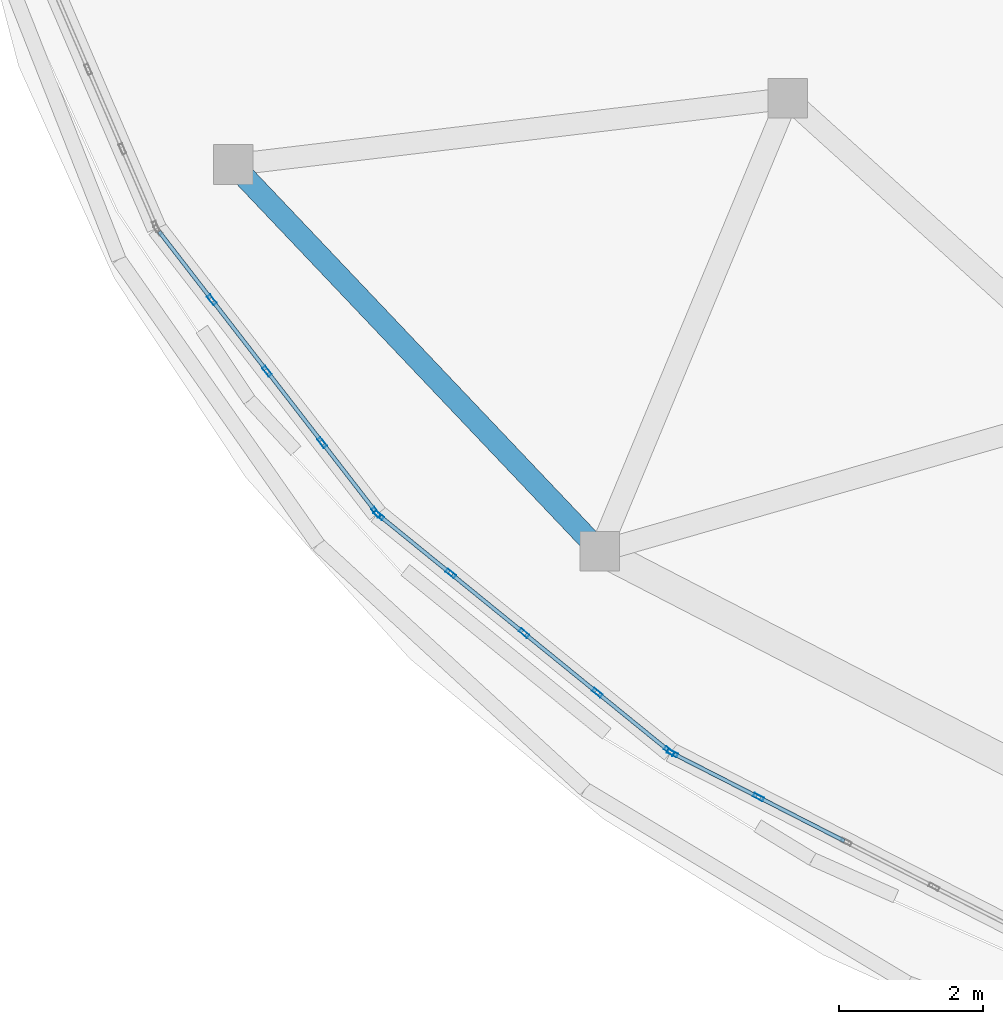
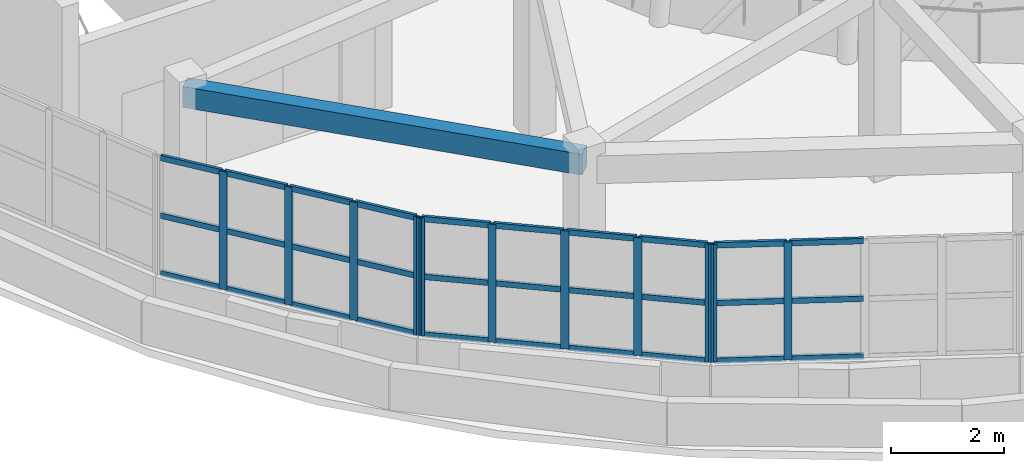
# One storey, part 4 of 46: 41 members, 1 beam, 3 elements without a shape of their own.
"""IFC4 building model written with IfcOpenShell, lengths in metres."""

from ifc_helpers import new_model, si_unit, direction, frame, origin, origin_2d, place, context, subcontext, project, spatial, rectangle, hollow_rectangle, extrude, material, layer, layer_set, material_profile, profile_set, type_object, element, aggregate, save


model = new_model("IFC4")

# Units and contexts
model_context = context("Model", 3, precision=1e-05, world=origin(), true_north=direction((0.0, 1.0)))
body_context = subcontext(model_context, "Body", "Model", "MODEL_VIEW")
ifc_project = project(units=[si_unit("LENGTHUNIT", "METRE"), si_unit("AREAUNIT", "SQUARE_METRE"), si_unit("VOLUMEUNIT", "CUBIC_METRE"), si_unit("PLANEANGLEUNIT", "RADIAN"), si_unit("MASSUNIT", "GRAM", prefix="KILO")], contexts=[model_context])

# Site, building, storey
site_placement = place(None, origin())
site = spatial("IfcSite", under=ifc_project, at=site_placement, CompositionType="ELEMENT")
building_placement = place(site_placement, origin())
building = spatial("IfcBuilding", under=site, at=building_placement, Name="Pelvatis Terrace Science Centre", CompositionType="ELEMENT")
storey_placement = place(building_placement, frame((0.0, 0.0, 19.800048828125)))
storey = spatial("IfcBuildingStorey", under=building, at=storey_placement, Name="L04", CompositionType="ELEMENT", Elevation=19.800048828125)

# Beam
ifc_material_1 = material(Name="Concrete C35/45", Category="concrete")
ifc_material_profile_1 = material_profile(ifc_material_1, rectangle(XDim=0.300048828125, YDim=0.449951171875, at=origin_2d()), Name="RC-BM 300x450")
ifc_profile_set_1 = profile_set([ifc_material_profile_1], Name="Concrete C35/45")
beam_type = type_object("IfcBeamType", Name="BM-RC-300x450", PredefinedType="BEAM", material=ifc_profile_set_1)
beam_placement = place(storey_placement, frame((87.548583984375, 76.43798828125, 4.02490234375), z_axis=(0.688284988325, -0.725440400616, 0.0), x_axis=(0.725440400616, 0.688284988325, 0.0)))
element("IfcBeam", 1, at=beam_placement, inside=storey, type_object=beam_type, Name="Beam BM-L04-3089", PredefinedType="BEAM", context=body_context, shape_type="SweptSolid", body=[
    extrude(rectangle(XDim=0.300048828125, YDim=0.449951171875, at=origin_2d()), origin(), (0.0, 0.0, 1.0), 7.37890625),
])

# Curtain wall, members
ifc_material_2 = material(Name="Bronze-anodised aluminium and laminated glass", Category="aluminium")
ifc_layer = layer(ifc_material_2, 0.14990234375)
ifc_layer_set = layer_set([ifc_layer], Name="Bronze-anodised aluminium and laminated glass")
curtain_wall_type = type_object("IfcCurtainWallType", Name="CW-PASSAGE-C", PredefinedType="NOTDEFINED", material=ifc_layer_set)
curtain_wall_1_placement = place(storey_placement, origin())
curtain_wall_1 = element("IfcCurtainWall", 2, at=curtain_wall_1_placement, inside=storey, type_object=curtain_wall_type, Name="Ribbon curtain wall CW-227 (L04)", PredefinedType="NOTDEFINED")
ifc_material_3 = material(Name="Bronze-anodised aluminium 6063-T6", Category="aluminium")
ifc_material_profile_2 = material_profile(ifc_material_3, hollow_rectangle(XDim=0.054931640625, YDim=0.14990234375, WallThickness=0.00390625, at=origin_2d()), Name="ALU-MUL 55x150")
ifc_profile_set_2 = profile_set([ifc_material_profile_2], Name="Bronze-anodised aluminium 6063-T6")
member_type_1 = type_object("IfcMemberType", Name="CWM-55x150", PredefinedType="MULLION", material=ifc_profile_set_2)
member_1_placement = place(storey_placement, frame((87.254150390625, 74.565185546875, 1.02001953125), z_axis=(0.0, 0.0, 1.0), x_axis=(0.791180678019, 0.611582483994, 0.0)))
member_1 = element("IfcMember", 3, at=member_1_placement, type_object=member_type_1, Name="CW-227 mullion 2", PredefinedType="MULLION", context=body_context, shape_type="SweptSolid", body=[
    extrude(hollow_rectangle(XDim=0.054931640625, YDim=0.14990234375, WallThickness=0.00390625, at=origin_2d()), origin(), (0.0, 0.0, 1.0), 2.550048828125),
])
member_2_placement = place(storey_placement, frame((88.01806640625, 73.576904296875, 1.02001953125), z_axis=(0.0, 0.0, 1.0), x_axis=(0.791180678019, 0.611582483994, 0.0)))
member_2 = element("IfcMember", 4, at=member_2_placement, type_object=member_type_1, Name="CW-227 mullion 3", PredefinedType="MULLION", context=body_context, shape_type="SweptSolid", body=[
    extrude(hollow_rectangle(XDim=0.054931640625, YDim=0.14990234375, WallThickness=0.00390625, at=origin_2d()), origin(), (0.0, 0.0, 1.0), 2.550048828125),
])
member_3_placement = place(storey_placement, frame((88.781982421875, 72.588623046875, 1.02001953125), z_axis=(0.0, 0.0, 1.0), x_axis=(0.791180678019, 0.611582483994, 0.0)))
member_3 = element("IfcMember", 5, at=member_3_placement, type_object=member_type_1, Name="CW-227 mullion 4", PredefinedType="MULLION", context=body_context, shape_type="SweptSolid", body=[
    extrude(hollow_rectangle(XDim=0.054931640625, YDim=0.14990234375, WallThickness=0.00390625, at=origin_2d()), origin(), (0.0, 0.0, 1.0), 2.550048828125),
])
member_4_placement = place(storey_placement, frame((89.529296875, 71.6220703125, 1.02001953125), z_axis=(0.0, 0.0, 1.0), x_axis=(0.791180678019, 0.611582483994, 0.0)))
member_4 = element("IfcMember", 6, at=member_4_placement, type_object=member_type_1, Name="CW-227 mullion 5", PredefinedType="MULLION", context=body_context, shape_type="SweptSolid", body=[
    extrude(hollow_rectangle(XDim=0.054931640625, YDim=0.14990234375, WallThickness=0.00390625, at=origin_2d()), origin(), (0.0, 0.0, 1.0), 2.550048828125),
])

curtain_wall_2_placement = place(storey_placement, origin())
curtain_wall_2 = element("IfcCurtainWall", 7, at=curtain_wall_2_placement, inside=storey, type_object=curtain_wall_type, Name="Ribbon curtain wall CW-228 (L04)", PredefinedType="NOTDEFINED")
member_5_placement = place(storey_placement, frame((89.5673828125, 71.582763671875, 1.02001953125), z_axis=(0.0, 0.0, 1.0), x_axis=(0.630757324963, 0.775980152456, 0.0)))
member_5 = element("IfcMember", 8, at=member_5_placement, type_object=member_type_1, Name="CW-228 mullion 1", PredefinedType="MULLION", context=body_context, shape_type="SweptSolid", body=[
    extrude(hollow_rectangle(XDim=0.054931640625, YDim=0.14990234375, WallThickness=0.00390625, at=origin_2d()), origin(), (0.0, 0.0, 1.0), 2.550048828125),
])
member_6_placement = place(storey_placement, frame((90.561279296875, 70.77490234375, 1.02001953125), z_axis=(0.0, 0.0, 1.0), x_axis=(0.630757324963, 0.775980152456, 0.0)))
member_6 = element("IfcMember", 9, at=member_6_placement, type_object=member_type_1, Name="CW-228 mullion 2", PredefinedType="MULLION", context=body_context, shape_type="SweptSolid", body=[
    extrude(hollow_rectangle(XDim=0.054931640625, YDim=0.14990234375, WallThickness=0.00390625, at=origin_2d()), origin(), (0.0, 0.0, 1.0), 2.550048828125),
])
member_7_placement = place(storey_placement, frame((91.57666015625, 69.949462890625, 1.02001953125), z_axis=(0.0, 0.0, 1.0), x_axis=(0.630757324963, 0.775980152456, 0.0)))
member_7 = element("IfcMember", 10, at=member_7_placement, type_object=member_type_1, Name="CW-228 mullion 3", PredefinedType="MULLION", context=body_context, shape_type="SweptSolid", body=[
    extrude(hollow_rectangle(XDim=0.054931640625, YDim=0.14990234375, WallThickness=0.00390625, at=origin_2d()), origin(), (0.0, 0.0, 1.0), 2.550048828125),
])
member_8_placement = place(storey_placement, frame((92.592041015625, 69.124267578125, 1.02001953125), z_axis=(0.0, 0.0, 1.0), x_axis=(0.630757324963, 0.775980152456, 0.0)))
member_8 = element("IfcMember", 11, at=member_8_placement, type_object=member_type_1, Name="CW-228 mullion 4", PredefinedType="MULLION", context=body_context, shape_type="SweptSolid", body=[
    extrude(hollow_rectangle(XDim=0.054931640625, YDim=0.14990234375, WallThickness=0.00390625, at=origin_2d()), origin(), (0.0, 0.0, 1.0), 2.550048828125),
])
member_9_placement = place(storey_placement, frame((93.586181640625, 68.316162109375, 1.02001953125), z_axis=(0.0, 0.0, 1.0), x_axis=(0.630757324963, 0.775980152456, 0.0)))
member_9 = element("IfcMember", 12, at=member_9_placement, type_object=member_type_1, Name="CW-228 mullion 5", PredefinedType="MULLION", context=body_context, shape_type="SweptSolid", body=[
    extrude(hollow_rectangle(XDim=0.054931640625, YDim=0.14990234375, WallThickness=0.00390625, at=origin_2d()), origin(), (0.0, 0.0, 1.0), 2.550048828125),
])

curtain_wall_3_placement = place(storey_placement, origin())
curtain_wall_3 = element("IfcCurtainWall", 13, at=curtain_wall_3_placement, inside=storey, type_object=curtain_wall_type, Name="Ribbon curtain wall CW-229 (L04)", PredefinedType="NOTDEFINED")
member_10_placement = place(storey_placement, frame((93.632080078125, 68.286376953125, 1.02001953125), z_axis=(0.0, 0.0, 1.0), x_axis=(0.454858737992, 0.890563601587, 0.0)))
member_10 = element("IfcMember", 14, at=member_10_placement, type_object=member_type_1, Name="CW-229 mullion 1", PredefinedType="MULLION", context=body_context, shape_type="SweptSolid", body=[
    extrude(hollow_rectangle(XDim=0.054931640625, YDim=0.14990234375, WallThickness=0.00390625, at=origin_2d()), origin(), (0.0, 0.0, 1.0), 2.550048828125),
])
member_11_placement = place(storey_placement, frame((94.8232421875, 67.677734375, 1.02001953125), z_axis=(0.0, 0.0, 1.0), x_axis=(0.454858737992, 0.890563601587, 0.0)))
member_11 = element("IfcMember", 15, at=member_11_placement, type_object=member_type_1, Name="CW-229 mullion 2", PredefinedType="MULLION", context=body_context, shape_type="SweptSolid", body=[
    extrude(hollow_rectangle(XDim=0.054931640625, YDim=0.14990234375, WallThickness=0.00390625, at=origin_2d()), origin(), (0.0, 0.0, 1.0), 2.550048828125),
])

# Member
ifc_material_4 = material(Name="Bronze-anodised aluminium 6063-T6", Category="aluminium")
ifc_material_profile_3 = material_profile(ifc_material_4, hollow_rectangle(XDim=0.054931640625, YDim=0.1201171875, WallThickness=0.00341796875, at=origin_2d()), Name="ALU-TRN 55x120")
ifc_profile_set_3 = profile_set([ifc_material_profile_3], Name="Bronze-anodised aluminium 6063-T6")
member_type_2 = type_object("IfcMemberType", Name="CWT-55x120", PredefinedType="USERDEFINED", material=ifc_profile_set_3)
member_12_placement = place(storey_placement, frame((86.523681640625, 75.510009765625, 1.04736328125), z_axis=(0.611620187246, -0.791151531979, 0.0), x_axis=(0.791151531979, 0.611620187246, 0.0)))
member_12 = element("IfcMember", 16, at=member_12_placement, type_object=member_type_2, Name="CW-227 transom 1.1", ObjectType="TRANSOM", PredefinedType="USERDEFINED", context=body_context, shape_type="SweptSolid", body=[
    extrude(hollow_rectangle(XDim=0.054931640625, YDim=0.1201171875, WallThickness=0.00341796875, at=origin_2d()), origin(), (0.0, 0.0, 1.0), 1.166748046875),
])

member_13_placement = place(storey_placement, frame((86.523681640625, 75.510009765625, 2.294921875), z_axis=(0.611620187246, -0.791151531979, 0.0), x_axis=(0.791151531979, 0.611620187246, 0.0)))
member_13 = element("IfcMember", 17, at=member_13_placement, type_object=member_type_2, Name="CW-227 transom 1.2", ObjectType="TRANSOM", PredefinedType="USERDEFINED", context=body_context, shape_type="SweptSolid", body=[
    extrude(hollow_rectangle(XDim=0.054931640625, YDim=0.1201171875, WallThickness=0.00341796875, at=origin_2d()), origin(), (0.0, 0.0, 1.0), 1.166748046875),
])

member_14_placement = place(storey_placement, frame((86.523681640625, 75.510009765625, 3.54248046875), z_axis=(0.611620187246, -0.791151531979, 0.0), x_axis=(0.791151531979, 0.611620187246, 0.0)))
member_14 = element("IfcMember", 18, at=member_14_placement, type_object=member_type_2, Name="CW-227 transom 1.3", ObjectType="TRANSOM", PredefinedType="USERDEFINED", context=body_context, shape_type="SweptSolid", body=[
    extrude(hollow_rectangle(XDim=0.054931640625, YDim=0.1201171875, WallThickness=0.00341796875, at=origin_2d()), origin(), (0.0, 0.0, 1.0), 1.166748046875),
])

member_15_placement = place(storey_placement, frame((87.27099609375, 74.54345703125, 1.04736328125), z_axis=(0.611517324634, -0.791231041904, 0.0), x_axis=(0.791231041904, 0.611517324634, 0.0)))
member_15 = element("IfcMember", 19, at=member_15_placement, type_object=member_type_2, Name="CW-227 transom 2.1", ObjectType="TRANSOM", PredefinedType="USERDEFINED", context=body_context, shape_type="SweptSolid", body=[
    extrude(hollow_rectangle(XDim=0.054931640625, YDim=0.1201171875, WallThickness=0.00341796875, at=origin_2d()), origin(), (0.0, 0.0, 1.0), 1.194091796875),
])

member_16_placement = place(storey_placement, frame((87.27099609375, 74.54345703125, 2.294921875), z_axis=(0.611517324634, -0.791231041904, 0.0), x_axis=(0.791231041904, 0.611517324634, 0.0)))
member_16 = element("IfcMember", 20, at=member_16_placement, type_object=member_type_2, Name="CW-227 transom 2.2", ObjectType="TRANSOM", PredefinedType="USERDEFINED", context=body_context, shape_type="SweptSolid", body=[
    extrude(hollow_rectangle(XDim=0.054931640625, YDim=0.1201171875, WallThickness=0.00341796875, at=origin_2d()), origin(), (0.0, 0.0, 1.0), 1.194091796875),
])

member_17_placement = place(storey_placement, frame((87.27099609375, 74.54345703125, 3.54248046875), z_axis=(0.611517324634, -0.791231041904, 0.0), x_axis=(0.791231041904, 0.611517324634, 0.0)))
member_17 = element("IfcMember", 21, at=member_17_placement, type_object=member_type_2, Name="CW-227 transom 2.3", ObjectType="TRANSOM", PredefinedType="USERDEFINED", context=body_context, shape_type="SweptSolid", body=[
    extrude(hollow_rectangle(XDim=0.054931640625, YDim=0.1201171875, WallThickness=0.00341796875, at=origin_2d()), origin(), (0.0, 0.0, 1.0), 1.194091796875),
])

member_18_placement = place(storey_placement, frame((88.034912109375, 73.55517578125, 1.04736328125), z_axis=(0.611517324634, -0.791231041904, 0.0), x_axis=(0.791231041904, 0.611517324634, 0.0)))
member_18 = element("IfcMember", 22, at=member_18_placement, type_object=member_type_2, Name="CW-227 transom 3.1", ObjectType="TRANSOM", PredefinedType="USERDEFINED", context=body_context, shape_type="SweptSolid", body=[
    extrude(hollow_rectangle(XDim=0.054931640625, YDim=0.1201171875, WallThickness=0.00341796875, at=origin_2d()), origin(), (0.0, 0.0, 1.0), 1.194091796875),
])

member_19_placement = place(storey_placement, frame((88.034912109375, 73.55517578125, 2.294921875), z_axis=(0.611517324634, -0.791231041904, 0.0), x_axis=(0.791231041904, 0.611517324634, 0.0)))
member_19 = element("IfcMember", 23, at=member_19_placement, type_object=member_type_2, Name="CW-227 transom 3.2", ObjectType="TRANSOM", PredefinedType="USERDEFINED", context=body_context, shape_type="SweptSolid", body=[
    extrude(hollow_rectangle(XDim=0.054931640625, YDim=0.1201171875, WallThickness=0.00341796875, at=origin_2d()), origin(), (0.0, 0.0, 1.0), 1.194091796875),
])

member_20_placement = place(storey_placement, frame((88.034912109375, 73.55517578125, 3.54248046875), z_axis=(0.611517324634, -0.791231041904, 0.0), x_axis=(0.791231041904, 0.611517324634, 0.0)))
member_20 = element("IfcMember", 24, at=member_20_placement, type_object=member_type_2, Name="CW-227 transom 3.3", ObjectType="TRANSOM", PredefinedType="USERDEFINED", context=body_context, shape_type="SweptSolid", body=[
    extrude(hollow_rectangle(XDim=0.054931640625, YDim=0.1201171875, WallThickness=0.00341796875, at=origin_2d()), origin(), (0.0, 0.0, 1.0), 1.194091796875),
])

member_21_placement = place(storey_placement, frame((88.798828125, 72.566650390625, 1.04736328125), z_axis=(0.61172144887, -0.791073238703, 0.0), x_axis=(0.791073238703, 0.61172144887, 0.0)))
member_21 = element("IfcMember", 25, at=member_21_placement, type_object=member_type_2, Name="CW-227 transom 4.1", ObjectType="TRANSOM", PredefinedType="USERDEFINED", context=body_context, shape_type="SweptSolid", body=[
    extrude(hollow_rectangle(XDim=0.054931640625, YDim=0.1201171875, WallThickness=0.00341796875, at=origin_2d()), origin(), (0.0, 0.0, 1.0), 1.16650390625),
])

member_22_placement = place(storey_placement, frame((88.798828125, 72.566650390625, 2.294921875), z_axis=(0.61172144887, -0.791073238703, 0.0), x_axis=(0.791073238703, 0.61172144887, 0.0)))
member_22 = element("IfcMember", 26, at=member_22_placement, type_object=member_type_2, Name="CW-227 transom 4.2", ObjectType="TRANSOM", PredefinedType="USERDEFINED", context=body_context, shape_type="SweptSolid", body=[
    extrude(hollow_rectangle(XDim=0.054931640625, YDim=0.1201171875, WallThickness=0.00341796875, at=origin_2d()), origin(), (0.0, 0.0, 1.0), 1.16650390625),
])

member_23_placement = place(storey_placement, frame((88.798828125, 72.566650390625, 3.54248046875), z_axis=(0.61172144887, -0.791073238703, 0.0), x_axis=(0.791073238703, 0.61172144887, 0.0)))
member_23 = element("IfcMember", 27, at=member_23_placement, type_object=member_type_2, Name="CW-227 transom 4.3", ObjectType="TRANSOM", PredefinedType="USERDEFINED", context=body_context, shape_type="SweptSolid", body=[
    extrude(hollow_rectangle(XDim=0.054931640625, YDim=0.1201171875, WallThickness=0.00341796875, at=origin_2d()), origin(), (0.0, 0.0, 1.0), 1.16650390625),
])

aggregate(curtain_wall_1, [member_1, member_2, member_3, member_4, member_12, member_13, member_14, member_15, member_16, member_17, member_18, member_19, member_20, member_21, member_22, member_23])

member_24_placement = place(storey_placement, frame((89.588623046875, 71.5654296875, 1.04736328125), z_axis=(0.776046991119, -0.630675088754, 0.0), x_axis=(0.630675088754, 0.776046991119, 0.0)))
member_24 = element("IfcMember", 28, at=member_24_placement, type_object=member_type_2, Name="CW-228 transom 1.1", ObjectType="TRANSOM", PredefinedType="USERDEFINED", context=body_context, shape_type="SweptSolid", body=[
    extrude(hollow_rectangle(XDim=0.054931640625, YDim=0.1201171875, WallThickness=0.00341796875, at=origin_2d()), origin(), (0.0, 0.0, 1.0), 1.22607421875),
])

member_25_placement = place(storey_placement, frame((89.588623046875, 71.5654296875, 2.294921875), z_axis=(0.776046991119, -0.630675088754, 0.0), x_axis=(0.630675088754, 0.776046991119, 0.0)))
member_25 = element("IfcMember", 29, at=member_25_placement, type_object=member_type_2, Name="CW-228 transom 1.2", ObjectType="TRANSOM", PredefinedType="USERDEFINED", context=body_context, shape_type="SweptSolid", body=[
    extrude(hollow_rectangle(XDim=0.054931640625, YDim=0.1201171875, WallThickness=0.00341796875, at=origin_2d()), origin(), (0.0, 0.0, 1.0), 1.22607421875),
])

member_26_placement = place(storey_placement, frame((89.588623046875, 71.5654296875, 3.54248046875), z_axis=(0.776046991119, -0.630675088754, 0.0), x_axis=(0.630675088754, 0.776046991119, 0.0)))
member_26 = element("IfcMember", 30, at=member_26_placement, type_object=member_type_2, Name="CW-228 transom 1.3", ObjectType="TRANSOM", PredefinedType="USERDEFINED", context=body_context, shape_type="SweptSolid", body=[
    extrude(hollow_rectangle(XDim=0.054931640625, YDim=0.1201171875, WallThickness=0.00341796875, at=origin_2d()), origin(), (0.0, 0.0, 1.0), 1.22607421875),
])

member_27_placement = place(storey_placement, frame((90.582763671875, 70.757568359375, 1.04736328125), z_axis=(0.775923329106, -0.630827224642, 0.0), x_axis=(0.630827224642, 0.775923329106, 0.0)))
member_27 = element("IfcMember", 31, at=member_27_placement, type_object=member_type_2, Name="CW-228 transom 2.1", ObjectType="TRANSOM", PredefinedType="USERDEFINED", context=body_context, shape_type="SweptSolid", body=[
    extrude(hollow_rectangle(XDim=0.054931640625, YDim=0.1201171875, WallThickness=0.00341796875, at=origin_2d()), origin(), (0.0, 0.0, 1.0), 1.253662109375),
])

member_28_placement = place(storey_placement, frame((90.582763671875, 70.757568359375, 2.294921875), z_axis=(0.775923329106, -0.630827224642, 0.0), x_axis=(0.630827224642, 0.775923329106, 0.0)))
member_28 = element("IfcMember", 32, at=member_28_placement, type_object=member_type_2, Name="CW-228 transom 2.2", ObjectType="TRANSOM", PredefinedType="USERDEFINED", context=body_context, shape_type="SweptSolid", body=[
    extrude(hollow_rectangle(XDim=0.054931640625, YDim=0.1201171875, WallThickness=0.00341796875, at=origin_2d()), origin(), (0.0, 0.0, 1.0), 1.253662109375),
])

member_29_placement = place(storey_placement, frame((90.582763671875, 70.757568359375, 3.54248046875), z_axis=(0.775923329106, -0.630827224642, 0.0), x_axis=(0.630827224642, 0.775923329106, 0.0)))
member_29 = element("IfcMember", 33, at=member_29_placement, type_object=member_type_2, Name="CW-228 transom 2.3", ObjectType="TRANSOM", PredefinedType="USERDEFINED", context=body_context, shape_type="SweptSolid", body=[
    extrude(hollow_rectangle(XDim=0.054931640625, YDim=0.1201171875, WallThickness=0.00341796875, at=origin_2d()), origin(), (0.0, 0.0, 1.0), 1.253662109375),
])

member_30_placement = place(storey_placement, frame((91.59814453125, 69.93212890625, 1.04736328125), z_axis=(0.776018661764, -0.630709946484, 0.0), x_axis=(0.630709946484, 0.776018661764, 0.0)))
member_30 = element("IfcMember", 34, at=member_30_placement, type_object=member_type_2, Name="CW-228 transom 3.1", ObjectType="TRANSOM", PredefinedType="USERDEFINED", context=body_context, shape_type="SweptSolid", body=[
    extrude(hollow_rectangle(XDim=0.054931640625, YDim=0.1201171875, WallThickness=0.00341796875, at=origin_2d()), origin(), (0.0, 0.0, 1.0), 1.25341796875),
])

member_31_placement = place(storey_placement, frame((91.59814453125, 69.93212890625, 2.294921875), z_axis=(0.776018661764, -0.630709946484, 0.0), x_axis=(0.630709946484, 0.776018661764, 0.0)))
member_31 = element("IfcMember", 35, at=member_31_placement, type_object=member_type_2, Name="CW-228 transom 3.2", ObjectType="TRANSOM", PredefinedType="USERDEFINED", context=body_context, shape_type="SweptSolid", body=[
    extrude(hollow_rectangle(XDim=0.054931640625, YDim=0.1201171875, WallThickness=0.00341796875, at=origin_2d()), origin(), (0.0, 0.0, 1.0), 1.25341796875),
])

member_32_placement = place(storey_placement, frame((91.59814453125, 69.93212890625, 3.54248046875), z_axis=(0.776018661764, -0.630709946484, 0.0), x_axis=(0.630709946484, 0.776018661764, 0.0)))
member_32 = element("IfcMember", 36, at=member_32_placement, type_object=member_type_2, Name="CW-228 transom 3.3", ObjectType="TRANSOM", PredefinedType="USERDEFINED", context=body_context, shape_type="SweptSolid", body=[
    extrude(hollow_rectangle(XDim=0.054931640625, YDim=0.1201171875, WallThickness=0.00341796875, at=origin_2d()), origin(), (0.0, 0.0, 1.0), 1.25341796875),
])

member_33_placement = place(storey_placement, frame((92.613525390625, 69.106689453125, 1.04736328125), z_axis=(0.776046991119, -0.630675088754, 0.0), x_axis=(0.630675088754, 0.776046991119, 0.0)))
member_33 = element("IfcMember", 37, at=member_33_placement, type_object=member_type_2, Name="CW-228 transom 4.1", ObjectType="TRANSOM", PredefinedType="USERDEFINED", context=body_context, shape_type="SweptSolid", body=[
    extrude(hollow_rectangle(XDim=0.054931640625, YDim=0.1201171875, WallThickness=0.00341796875, at=origin_2d()), origin(), (0.0, 0.0, 1.0), 1.22607421875),
])

member_34_placement = place(storey_placement, frame((92.613525390625, 69.106689453125, 2.294921875), z_axis=(0.776046991119, -0.630675088754, 0.0), x_axis=(0.630675088754, 0.776046991119, 0.0)))
member_34 = element("IfcMember", 38, at=member_34_placement, type_object=member_type_2, Name="CW-228 transom 4.2", ObjectType="TRANSOM", PredefinedType="USERDEFINED", context=body_context, shape_type="SweptSolid", body=[
    extrude(hollow_rectangle(XDim=0.054931640625, YDim=0.1201171875, WallThickness=0.00341796875, at=origin_2d()), origin(), (0.0, 0.0, 1.0), 1.22607421875),
])

member_35_placement = place(storey_placement, frame((92.613525390625, 69.106689453125, 3.54248046875), z_axis=(0.776046991119, -0.630675088754, 0.0), x_axis=(0.630675088754, 0.776046991119, 0.0)))
member_35 = element("IfcMember", 39, at=member_35_placement, type_object=member_type_2, Name="CW-228 transom 4.3", ObjectType="TRANSOM", PredefinedType="USERDEFINED", context=body_context, shape_type="SweptSolid", body=[
    extrude(hollow_rectangle(XDim=0.054931640625, YDim=0.1201171875, WallThickness=0.00341796875, at=origin_2d()), origin(), (0.0, 0.0, 1.0), 1.22607421875),
])

aggregate(curtain_wall_2, [member_5, member_6, member_7, member_8, member_9, member_24, member_25, member_26, member_27, member_28, member_29, member_30, member_31, member_32, member_33, member_34, member_35])

member_36_placement = place(storey_placement, frame((93.656494140625, 68.273681640625, 1.04736328125), z_axis=(0.890626588092, -0.454735396228, 0.0), x_axis=(0.454735396228, 0.890626588092, 0.0)))
member_36 = element("IfcMember", 40, at=member_36_placement, type_object=member_type_2, Name="CW-229 transom 1.1", ObjectType="TRANSOM", PredefinedType="USERDEFINED", context=body_context, shape_type="SweptSolid", body=[
    extrude(hollow_rectangle(XDim=0.054931640625, YDim=0.1201171875, WallThickness=0.00341796875, at=origin_2d()), origin(), (0.0, 0.0, 1.0), 1.28271484375),
])

member_37_placement = place(storey_placement, frame((93.656494140625, 68.273681640625, 2.294921875), z_axis=(0.890626588092, -0.454735396228, 0.0), x_axis=(0.454735396228, 0.890626588092, 0.0)))
member_37 = element("IfcMember", 41, at=member_37_placement, type_object=member_type_2, Name="CW-229 transom 1.2", ObjectType="TRANSOM", PredefinedType="USERDEFINED", context=body_context, shape_type="SweptSolid", body=[
    extrude(hollow_rectangle(XDim=0.054931640625, YDim=0.1201171875, WallThickness=0.00341796875, at=origin_2d()), origin(), (0.0, 0.0, 1.0), 1.28271484375),
])

member_38_placement = place(storey_placement, frame((93.656494140625, 68.273681640625, 3.54248046875), z_axis=(0.890626588092, -0.454735396228, 0.0), x_axis=(0.454735396228, 0.890626588092, 0.0)))
member_38 = element("IfcMember", 42, at=member_38_placement, type_object=member_type_2, Name="CW-229 transom 1.3", ObjectType="TRANSOM", PredefinedType="USERDEFINED", context=body_context, shape_type="SweptSolid", body=[
    extrude(hollow_rectangle(XDim=0.054931640625, YDim=0.1201171875, WallThickness=0.00341796875, at=origin_2d()), origin(), (0.0, 0.0, 1.0), 1.28271484375),
])

member_39_placement = place(storey_placement, frame((94.847900390625, 67.665283203125, 1.04736328125), z_axis=(0.890555477647, -0.454874643427, 0.0), x_axis=(0.454874643427, 0.890555477647, 0.0)))
member_39 = element("IfcMember", 43, at=member_39_placement, type_object=member_type_2, Name="CW-229 transom 2.1", ObjectType="TRANSOM", PredefinedType="USERDEFINED", context=body_context, shape_type="SweptSolid", body=[
    extrude(hollow_rectangle(XDim=0.054931640625, YDim=0.1201171875, WallThickness=0.00341796875, at=origin_2d()), origin(), (0.0, 0.0, 1.0), 1.31005859375),
])

member_40_placement = place(storey_placement, frame((94.847900390625, 67.665283203125, 2.294921875), z_axis=(0.890555477647, -0.454874643427, 0.0), x_axis=(0.454874643427, 0.890555477647, 0.0)))
member_40 = element("IfcMember", 44, at=member_40_placement, type_object=member_type_2, Name="CW-229 transom 2.2", ObjectType="TRANSOM", PredefinedType="USERDEFINED", context=body_context, shape_type="SweptSolid", body=[
    extrude(hollow_rectangle(XDim=0.054931640625, YDim=0.1201171875, WallThickness=0.00341796875, at=origin_2d()), origin(), (0.0, 0.0, 1.0), 1.31005859375),
])

member_41_placement = place(storey_placement, frame((94.847900390625, 67.665283203125, 3.54248046875), z_axis=(0.890555477647, -0.454874643427, 0.0), x_axis=(0.454874643427, 0.890555477647, 0.0)))
member_41 = element("IfcMember", 45, at=member_41_placement, type_object=member_type_2, Name="CW-229 transom 2.3", ObjectType="TRANSOM", PredefinedType="USERDEFINED", context=body_context, shape_type="SweptSolid", body=[
    extrude(hollow_rectangle(XDim=0.054931640625, YDim=0.1201171875, WallThickness=0.00341796875, at=origin_2d()), origin(), (0.0, 0.0, 1.0), 1.31005859375),
])

aggregate(curtain_wall_3, [member_10, member_11, member_36, member_37, member_38, member_39, member_40, member_41])

save(model, "model.ifc")
